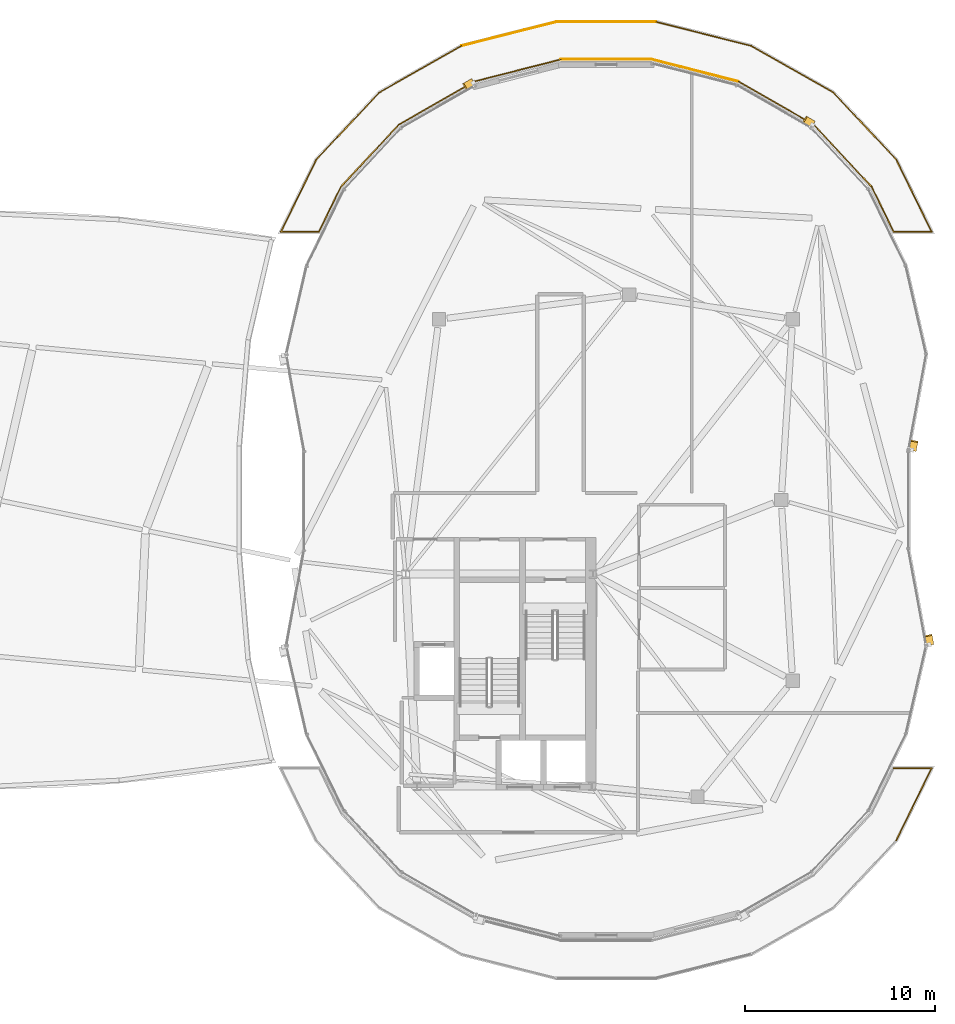
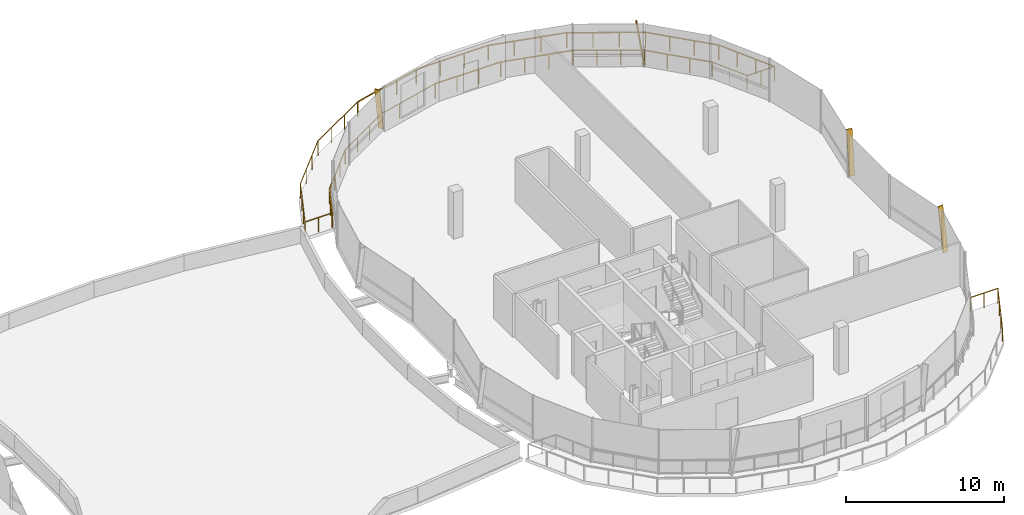
# One storey, part 31 of 31: 11 railings, 4 shading devices.
"""IFC4 building model written with IfcOpenShell, lengths in metres."""

from ifc_helpers import new_model, si_unit, direction, frame, origin, origin_2d, place, context, subcontext, project, spatial, rectangle, extrude, material, material_profile, profile_set, type_object, element, save


model = new_model("IFC4")

# Units and contexts
model_context = context("Model", 3, precision=1e-05, world=origin(), true_north=direction((0.0, 1.0)))
body_context = subcontext(model_context, "Body", "Model", "MODEL_VIEW")
ifc_project = project(units=[si_unit("LENGTHUNIT", "METRE"), si_unit("AREAUNIT", "SQUARE_METRE"), si_unit("VOLUMEUNIT", "CUBIC_METRE"), si_unit("PLANEANGLEUNIT", "RADIAN"), si_unit("MASSUNIT", "GRAM", prefix="KILO"), si_unit("THERMODYNAMICTEMPERATUREUNIT", "KELVIN"), si_unit("POWERUNIT", "WATT")], contexts=[model_context])

# Site, building, storey
site_placement = place(None, origin())
site = spatial("IfcSite", under=ifc_project, at=site_placement, CompositionType="ELEMENT")
building_placement = place(site_placement, origin())
building = spatial("IfcBuilding", under=site, at=building_placement, Name="Cundina Bronze Exchange", CompositionType="ELEMENT")
storey_placement = place(building_placement, frame((0.0, 0.0, 275.60009765625)))
storey = spatial("IfcBuildingStorey", under=building, at=storey_placement, Name="L73", CompositionType="ELEMENT", Elevation=275.60009765625)

# Railings
ifc_material = material(Name="Anodised Bronze Aluminium 6063-T6", Category="aluminium")
railing_type = type_object("IfcRailingType", Name="RLG-GRD-1150", PredefinedType="GUARDRAIL", material=ifc_material)
railing_1_placement = place(storey_placement, frame((16.756103515625, 17.903564453125, 0.0)))
element("IfcRailing", 1, at=railing_1_placement, inside=storey, type_object=railing_type, Name="L73 Perimeter Safety Guardrail 01", PredefinedType="GUARDRAIL", context=body_context, shape_type="SweptSolid", body=[
    extrude(rectangle(XDim=0.048095703125, YDim=0.048095703125, at=origin_2d()), frame((0.0, 0.0, 1.1259765625), z_axis=(0.684374532241, 0.729130646469, 0.0), x_axis=(-0.729130646469, 0.684374532241, 0.0)), (0.0, 0.0, 1.0), 4.8330078125),
    extrude(rectangle(XDim=0.048095703125, YDim=0.048095703125, at=origin_2d()), frame((3.3076171875, 3.52392578125, 1.1259765625), z_axis=(0.86955534313, 0.493835504226, 0.0), x_axis=(-0.493835504226, 0.86955534313, 0.0)), (0.0, 0.0, 1.0), 4.968994140625),
    extrude(rectangle(XDim=0.0419921875, YDim=0.0419921875, at=origin_2d()), origin(), (0.0, 0.0, 1.0), 1.101806640625),
    extrude(rectangle(XDim=0.0419921875, YDim=0.0419921875, at=origin_2d()), frame((1.1025390625, 1.174560546875, 0.0)), (0.0, 0.0, 1.0), 1.101806640625),
    extrude(rectangle(XDim=0.0419921875, YDim=0.0419921875, at=origin_2d()), frame((2.205078125, 2.349365234375, 0.0)), (0.0, 0.0, 1.0), 1.101806640625),
    extrude(rectangle(XDim=0.0419921875, YDim=0.0419921875, at=origin_2d()), frame((3.3076171875, 3.52392578125, 0.0)), (0.0, 0.0, 1.0), 1.101806640625),
    extrude(rectangle(XDim=0.0419921875, YDim=0.0419921875, at=origin_2d()), frame((4.747802734375, 4.341796875, 0.0)), (0.0, 0.0, 1.0), 1.101806640625),
    extrude(rectangle(XDim=0.0419921875, YDim=0.0419921875, at=origin_2d()), frame((6.188232421875, 5.159912109375, 0.0)), (0.0, 0.0, 1.0), 1.101806640625),
    extrude(rectangle(XDim=0.0419921875, YDim=0.0419921875, at=origin_2d()), frame((7.62841796875, 5.977783203125, 0.0)), (0.0, 0.0, 1.0), 1.101806640625),
])
railing_2_placement = place(storey_placement, frame((24.384521484375, 23.88134765625, 0.0)))
element("IfcRailing", 2, at=railing_2_placement, inside=storey, type_object=railing_type, Name="L73 Perimeter Safety Guardrail 02", PredefinedType="GUARDRAIL", context=body_context, shape_type="SweptSolid", body=[
    extrude(rectangle(XDim=0.048095703125, YDim=0.048095703125, at=origin_2d()), frame((0.0, 0.0, 1.1259765625), z_axis=(0.969737184332, 0.244151168998, 0.0), x_axis=(-0.244151168998, 0.969737184332, 0.0)), (0.0, 0.0, 1.0), 5.15478515625),
    extrude(rectangle(XDim=0.048095703125, YDim=0.048095703125, at=origin_2d()), frame((4.998779296875, 1.258544921875, 1.1259765625), z_axis=(1.0, 0.0, 0.0), x_axis=(0.0, 1.0, 0.0)), (0.0, 0.0, 1.0), 5.2333984375),
    extrude(rectangle(XDim=0.0419921875, YDim=0.0419921875, at=origin_2d()), origin(), (0.0, 0.0, 1.0), 1.101806640625),
    extrude(rectangle(XDim=0.0419921875, YDim=0.0419921875, at=origin_2d()), frame((1.666259765625, 0.41943359375, 0.0)), (0.0, 0.0, 1.0), 1.101806640625),
    extrude(rectangle(XDim=0.0419921875, YDim=0.0419921875, at=origin_2d()), frame((3.33251953125, 0.839111328125, 0.0)), (0.0, 0.0, 1.0), 1.101806640625),
    extrude(rectangle(XDim=0.0419921875, YDim=0.0419921875, at=origin_2d()), frame((4.998779296875, 1.258544921875, 0.0)), (0.0, 0.0, 1.0), 1.101806640625),
    extrude(rectangle(XDim=0.0419921875, YDim=0.0419921875, at=origin_2d()), frame((6.7431640625, 1.258544921875, 0.0)), (0.0, 0.0, 1.0), 1.101806640625),
    extrude(rectangle(XDim=0.0419921875, YDim=0.0419921875, at=origin_2d()), frame((8.48779296875, 1.258544921875, 0.0)), (0.0, 0.0, 1.0), 1.101806640625),
    extrude(rectangle(XDim=0.0419921875, YDim=0.0419921875, at=origin_2d()), frame((10.232177734375, 1.258544921875, 0.0)), (0.0, 0.0, 1.0), 1.101806640625),
])
railing_3_placement = place(storey_placement, frame((34.61669921875, 25.139892578125, 0.0)))
element("IfcRailing", 3, at=railing_3_placement, inside=storey, type_object=railing_type, Name="L73 Perimeter Safety Guardrail 03", PredefinedType="GUARDRAIL", context=body_context, shape_type="SweptSolid", body=[
    extrude(rectangle(XDim=0.048095703125, YDim=0.048095703125, at=origin_2d()), frame((0.0, 0.0, 1.1259765625), z_axis=(0.969737184332, -0.244151168998, 0.0), x_axis=(0.244151168998, 0.969737184332, 0.0)), (0.0, 0.0, 1.0), 5.15478515625),
    extrude(rectangle(XDim=0.048095703125, YDim=0.048095703125, at=origin_2d()), frame((4.998779296875, -1.258544921875, 1.1259765625), z_axis=(0.86955534313, -0.493835504226, 0.0), x_axis=(0.493835504226, 0.86955534313, 0.0)), (0.0, 0.0, 1.0), 4.968994140625),
    extrude(rectangle(XDim=0.0419921875, YDim=0.0419921875, at=origin_2d()), origin(), (0.0, 0.0, 1.0), 1.101806640625),
    extrude(rectangle(XDim=0.0419921875, YDim=0.0419921875, at=origin_2d()), frame((1.666259765625, -0.41943359375, 0.0)), (0.0, 0.0, 1.0), 1.101806640625),
    extrude(rectangle(XDim=0.0419921875, YDim=0.0419921875, at=origin_2d()), frame((3.33251953125, -0.839111328125, 0.0)), (0.0, 0.0, 1.0), 1.101806640625),
    extrude(rectangle(XDim=0.0419921875, YDim=0.0419921875, at=origin_2d()), frame((4.998779296875, -1.258544921875, 0.0)), (0.0, 0.0, 1.0), 1.101806640625),
    extrude(rectangle(XDim=0.0419921875, YDim=0.0419921875, at=origin_2d()), frame((6.43896484375, -2.076416015625, 0.0)), (0.0, 0.0, 1.0), 1.101806640625),
    extrude(rectangle(XDim=0.0419921875, YDim=0.0419921875, at=origin_2d()), frame((7.87939453125, -2.89453125, 0.0)), (0.0, 0.0, 1.0), 1.101806640625),
    extrude(rectangle(XDim=0.0419921875, YDim=0.0419921875, at=origin_2d()), frame((9.319580078125, -3.71240234375, 0.0)), (0.0, 0.0, 1.0), 1.101806640625),
])
railing_4_placement = place(storey_placement, frame((43.936279296875, 21.427490234375, 0.0)))
element("IfcRailing", 4, at=railing_4_placement, inside=storey, type_object=railing_type, Name="L73 Perimeter Safety Guardrail 04", PredefinedType="GUARDRAIL", context=body_context, shape_type="SweptSolid", body=[
    extrude(rectangle(XDim=0.048095703125, YDim=0.048095703125, at=origin_2d()), frame((0.0, 0.0, 1.1259765625), z_axis=(0.684374532241, -0.729130646469, 0.0), x_axis=(0.729130646469, 0.684374532241, 0.0)), (0.0, 0.0, 1.0), 4.8330078125),
    extrude(rectangle(XDim=0.048095703125, YDim=0.048095703125, at=origin_2d()), frame((3.3076171875, -3.52392578125, 1.1259765625), z_axis=(0.440493349909, -0.897755873657, 0.0), x_axis=(0.897755873657, 0.440493349909, 0.0)), (0.0, 0.0, 1.0), 4.236572265625),
    extrude(rectangle(XDim=0.0419921875, YDim=0.0419921875, at=origin_2d()), origin(), (0.0, 0.0, 1.0), 1.101806640625),
    extrude(rectangle(XDim=0.0419921875, YDim=0.0419921875, at=origin_2d()), frame((1.1025390625, -1.174560546875, 0.0)), (0.0, 0.0, 1.0), 1.101806640625),
    extrude(rectangle(XDim=0.0419921875, YDim=0.0419921875, at=origin_2d()), frame((2.205078125, -2.349365234375, 0.0)), (0.0, 0.0, 1.0), 1.101806640625),
    extrude(rectangle(XDim=0.0419921875, YDim=0.0419921875, at=origin_2d()), frame((3.3076171875, -3.52392578125, 0.0)), (0.0, 0.0, 1.0), 1.101806640625),
    extrude(rectangle(XDim=0.0419921875, YDim=0.0419921875, at=origin_2d()), frame((3.9296875, -4.791748046875, 0.0)), (0.0, 0.0, 1.0), 1.101806640625),
    extrude(rectangle(XDim=0.0419921875, YDim=0.0419921875, at=origin_2d()), frame((4.5517578125, -6.0595703125, 0.0)), (0.0, 0.0, 1.0), 1.101806640625),
    extrude(rectangle(XDim=0.0419921875, YDim=0.0419921875, at=origin_2d()), frame((5.173828125, -7.327392578125, 0.0)), (0.0, 0.0, 1.0), 1.101806640625),
])
railing_5_placement = place(storey_placement, frame((49.110107421875, 14.10009765625, 0.0)))
element("IfcRailing", 5, at=railing_5_placement, inside=storey, type_object=railing_type, Name="L73 Perimeter Safety Guardrail 05", PredefinedType="GUARDRAIL", context=body_context, shape_type="SweptSolid", body=[
    extrude(rectangle(XDim=0.048095703125, YDim=0.048095703125, at=origin_2d()), frame((0.0, 0.0, 1.1259765625), z_axis=(-1.0, 0.0, 0.0), x_axis=(0.0, -1.0, 0.0)), (0.0, 0.0, 1.0), 1.99560546875),
    extrude(rectangle(XDim=0.048095703125, YDim=0.048095703125, at=origin_2d()), frame((-1.99560546875, 0.0, 1.1259765625), z_axis=(-0.439873538042, 0.898059725481, 0.0), x_axis=(-0.898059725481, -0.439873538042, 0.0)), (0.0, 0.0, 1.0), 2.6396484375),
    extrude(rectangle(XDim=0.0419921875, YDim=0.0419921875, at=origin_2d()), origin(), (0.0, 0.0, 1.0), 1.101806640625),
    extrude(rectangle(XDim=0.0419921875, YDim=0.0419921875, at=origin_2d()), frame((-0.997802734375, 0.0, 0.0)), (0.0, 0.0, 1.0), 1.101806640625),
    extrude(rectangle(XDim=0.0419921875, YDim=0.0419921875, at=origin_2d()), frame((-1.99560546875, 0.0, 0.0)), (0.0, 0.0, 1.0), 1.101806640625),
    extrude(rectangle(XDim=0.0419921875, YDim=0.0419921875, at=origin_2d()), frame((-2.576171875, 1.185302734375, 0.0)), (0.0, 0.0, 1.0), 1.101806640625),
    extrude(rectangle(XDim=0.0419921875, YDim=0.0419921875, at=origin_2d()), frame((-3.15673828125, 2.37060546875, 0.0)), (0.0, 0.0, 1.0), 1.101806640625),
])
railing_6_placement = place(storey_placement, frame((45.953369140625, 16.470703125, 0.0)))
element("IfcRailing", 6, at=railing_6_placement, inside=storey, type_object=railing_type, Name="L73 Perimeter Safety Guardrail 06", PredefinedType="GUARDRAIL", context=body_context, shape_type="SweptSolid", body=[
    extrude(rectangle(XDim=0.048095703125, YDim=0.048095703125, at=origin_2d()), frame((0.0, 0.0, 1.1259765625), z_axis=(-0.681882342668, 0.731461872388, 0.0), x_axis=(-0.731461872388, -0.681882342668, 0.0)), (0.0, 0.0, 1.0), 4.47119140625),
    extrude(rectangle(XDim=0.048095703125, YDim=0.048095703125, at=origin_2d()), frame((-3.048828125, 3.2705078125, 1.1259765625), z_axis=(-0.867568999223, 0.497316832198, 0.0), x_axis=(-0.497316832198, -0.867568999223, 0.0)), (0.0, 0.0, 1.0), 4.5517578125),
    extrude(rectangle(XDim=0.0419921875, YDim=0.0419921875, at=origin_2d()), origin(), (0.0, 0.0, 1.0), 1.101806640625),
    extrude(rectangle(XDim=0.0419921875, YDim=0.0419921875, at=origin_2d()), frame((-1.016357421875, 1.090087890625, 0.0)), (0.0, 0.0, 1.0), 1.101806640625),
    extrude(rectangle(XDim=0.0419921875, YDim=0.0419921875, at=origin_2d()), frame((-2.032470703125, 2.180419921875, 0.0)), (0.0, 0.0, 1.0), 1.101806640625),
    extrude(rectangle(XDim=0.0419921875, YDim=0.0419921875, at=origin_2d()), frame((-3.048828125, 3.2705078125, 0.0)), (0.0, 0.0, 1.0), 1.101806640625),
    extrude(rectangle(XDim=0.0419921875, YDim=0.0419921875, at=origin_2d()), frame((-4.365234375, 4.025146484375, 0.0)), (0.0, 0.0, 1.0), 1.101806640625),
    extrude(rectangle(XDim=0.0419921875, YDim=0.0419921875, at=origin_2d()), frame((-5.681396484375, 4.779541015625, 0.0)), (0.0, 0.0, 1.0), 1.101806640625),
    extrude(rectangle(XDim=0.0419921875, YDim=0.0419921875, at=origin_2d()), frame((-6.997802734375, 5.5341796875, 0.0)), (0.0, 0.0, 1.0), 1.101806640625),
])
railing_7_placement = place(storey_placement, frame((38.95556640625, 22.0048828125, 0.0)))
element("IfcRailing", 7, at=railing_7_placement, inside=storey, type_object=railing_type, Name="L73 Perimeter Safety Guardrail 07", PredefinedType="GUARDRAIL", context=body_context, shape_type="SweptSolid", body=[
    extrude(rectangle(XDim=0.048095703125, YDim=0.048095703125, at=origin_2d()), frame((0.0, 0.0, 1.1259765625), z_axis=(-0.969066775148, 0.246798673628, 0.0), x_axis=(-0.246798673628, -0.969066775148, 0.0)), (0.0, 0.0, 1.0), 4.713623046875),
    extrude(rectangle(XDim=0.048095703125, YDim=0.048095703125, at=origin_2d()), frame((-4.56787109375, 1.163330078125, 1.1259765625), z_axis=(-1.0, 0.0, 0.0), x_axis=(0.0, -1.0, 0.0)), (0.0, 0.0, 1.0), 4.775390625),
    extrude(rectangle(XDim=0.0419921875, YDim=0.0419921875, at=origin_2d()), origin(), (0.0, 0.0, 1.0), 1.101806640625),
    extrude(rectangle(XDim=0.0419921875, YDim=0.0419921875, at=origin_2d()), frame((-1.522705078125, 0.3876953125, 0.0)), (0.0, 0.0, 1.0), 1.101806640625),
    extrude(rectangle(XDim=0.0419921875, YDim=0.0419921875, at=origin_2d()), frame((-3.045166015625, 0.775634765625, 0.0)), (0.0, 0.0, 1.0), 1.101806640625),
    extrude(rectangle(XDim=0.0419921875, YDim=0.0419921875, at=origin_2d()), frame((-4.56787109375, 1.163330078125, 0.0)), (0.0, 0.0, 1.0), 1.101806640625),
    extrude(rectangle(XDim=0.0419921875, YDim=0.0419921875, at=origin_2d()), frame((-6.15966796875, 1.163330078125, 0.0)), (0.0, 0.0, 1.0), 1.101806640625),
    extrude(rectangle(XDim=0.0419921875, YDim=0.0419921875, at=origin_2d()), frame((-7.75146484375, 1.163330078125, 0.0)), (0.0, 0.0, 1.0), 1.101806640625),
    extrude(rectangle(XDim=0.0419921875, YDim=0.0419921875, at=origin_2d()), frame((-9.34326171875, 1.163330078125, 0.0)), (0.0, 0.0, 1.0), 1.101806640625),
])
railing_8_placement = place(storey_placement, frame((29.6123046875, 23.168212890625, 0.0)))
element("IfcRailing", 8, at=railing_8_placement, inside=storey, type_object=railing_type, Name="L73 Perimeter Safety Guardrail 08", PredefinedType="GUARDRAIL", context=body_context, shape_type="SweptSolid", body=[
    extrude(rectangle(XDim=0.048095703125, YDim=0.048095703125, at=origin_2d()), frame((0.0, 0.0, 1.1259765625), z_axis=(-0.968966978327, -0.247190199869, 0.0), x_axis=(0.247190199869, -0.968966978327, 0.0)), (0.0, 0.0, 1.0), 4.723876953125),
    extrude(rectangle(XDim=0.048095703125, YDim=0.048095703125, at=origin_2d()), frame((-4.577392578125, -1.167724609375, 1.1259765625), z_axis=(-0.867108491991, -0.498119326183, 0.0), x_axis=(0.498119326183, -0.867108491991, 0.0)), (0.0, 0.0, 1.0), 4.56396484375),
    extrude(rectangle(XDim=0.0419921875, YDim=0.0419921875, at=origin_2d()), origin(), (0.0, 0.0, 1.0), 1.101806640625),
    extrude(rectangle(XDim=0.0419921875, YDim=0.0419921875, at=origin_2d()), frame((-1.52587890625, -0.38916015625, 0.0)), (0.0, 0.0, 1.0), 1.101806640625),
    extrude(rectangle(XDim=0.0419921875, YDim=0.0419921875, at=origin_2d()), frame((-3.051513671875, -0.778564453125, 0.0)), (0.0, 0.0, 1.0), 1.101806640625),
    extrude(rectangle(XDim=0.0419921875, YDim=0.0419921875, at=origin_2d()), frame((-4.577392578125, -1.167724609375, 0.0)), (0.0, 0.0, 1.0), 1.101806640625),
    extrude(rectangle(XDim=0.0419921875, YDim=0.0419921875, at=origin_2d()), frame((-5.896484375, -1.925537109375, 0.0)), (0.0, 0.0, 1.0), 1.101806640625),
    extrude(rectangle(XDim=0.0419921875, YDim=0.0419921875, at=origin_2d()), frame((-7.2158203125, -2.683349609375, 0.0)), (0.0, 0.0, 1.0), 1.101806640625),
    extrude(rectangle(XDim=0.0419921875, YDim=0.0419921875, at=origin_2d()), frame((-8.534912109375, -3.441162109375, 0.0)), (0.0, 0.0, 1.0), 1.101806640625),
])
railing_9_placement = place(storey_placement, frame((21.077392578125, 19.72705078125, 0.0)))
element("IfcRailing", 9, at=railing_9_placement, inside=storey, type_object=railing_type, Name="L73 Perimeter Safety Guardrail 09", PredefinedType="GUARDRAIL", context=body_context, shape_type="SweptSolid", body=[
    extrude(rectangle(XDim=0.048095703125, YDim=0.048095703125, at=origin_2d()), frame((0.0, 0.0, 1.1259765625), z_axis=(-0.681296870711, -0.732007222615, 0.0), x_axis=(0.732007222615, -0.681296870711, 0.0)), (0.0, 0.0, 1.0), 4.448486328125),
    extrude(rectangle(XDim=0.048095703125, YDim=0.048095703125, at=origin_2d()), frame((-3.03076171875, -3.25634765625, 1.1259765625), z_axis=(-0.439873538042, -0.898059725481, 0.0), x_axis=(0.898059725481, -0.439873538042, 0.0)), (0.0, 0.0, 1.0), 2.6396484375),
    extrude(rectangle(XDim=0.0419921875, YDim=0.0419921875, at=origin_2d()), origin(), (0.0, 0.0, 1.0), 1.101806640625),
    extrude(rectangle(XDim=0.0419921875, YDim=0.0419921875, at=origin_2d()), frame((-1.01025390625, -1.08544921875, 0.0)), (0.0, 0.0, 1.0), 1.101806640625),
    extrude(rectangle(XDim=0.0419921875, YDim=0.0419921875, at=origin_2d()), frame((-2.0205078125, -2.1708984375, 0.0)), (0.0, 0.0, 1.0), 1.101806640625),
    extrude(rectangle(XDim=0.0419921875, YDim=0.0419921875, at=origin_2d()), frame((-3.03076171875, -3.25634765625, 0.0)), (0.0, 0.0, 1.0), 1.101806640625),
    extrude(rectangle(XDim=0.0419921875, YDim=0.0419921875, at=origin_2d()), frame((-3.611328125, -4.441650390625, 0.0)), (0.0, 0.0, 1.0), 1.101806640625),
    extrude(rectangle(XDim=0.0419921875, YDim=0.0419921875, at=origin_2d()), frame((-4.19189453125, -5.626953125, 0.0)), (0.0, 0.0, 1.0), 1.101806640625),
])
railing_10_placement = place(storey_placement, frame((16.885498046875, 14.10009765625, 0.0)))
element("IfcRailing", 10, at=railing_10_placement, inside=storey, type_object=railing_type, Name="L73 Perimeter Safety Guardrail 10", PredefinedType="GUARDRAIL", context=body_context, shape_type="SweptSolid", body=[
    extrude(rectangle(XDim=0.048095703125, YDim=0.048095703125, at=origin_2d()), frame((0.0, 0.0, 1.1259765625), z_axis=(-1.0, 0.0, 0.0), x_axis=(0.0, -1.0, 0.0)), (0.0, 0.0, 1.0), 1.99560546875),
    extrude(rectangle(XDim=0.048095703125, YDim=0.048095703125, at=origin_2d()), frame((-1.99560546875, 0.0, 1.1259765625), z_axis=(0.440493349909, 0.897755873657, 0.0), x_axis=(-0.897755873657, 0.440493349909, 0.0)), (0.0, 0.0, 1.0), 4.236572265625),
    extrude(rectangle(XDim=0.0419921875, YDim=0.0419921875, at=origin_2d()), origin(), (0.0, 0.0, 1.0), 1.101806640625),
    extrude(rectangle(XDim=0.0419921875, YDim=0.0419921875, at=origin_2d()), frame((-0.997802734375, 0.0, 0.0)), (0.0, 0.0, 1.0), 1.101806640625),
    extrude(rectangle(XDim=0.0419921875, YDim=0.0419921875, at=origin_2d()), frame((-1.99560546875, 0.0, 0.0)), (0.0, 0.0, 1.0), 1.101806640625),
    extrude(rectangle(XDim=0.0419921875, YDim=0.0419921875, at=origin_2d()), frame((-1.37353515625, 1.267822265625, 0.0)), (0.0, 0.0, 1.0), 1.101806640625),
    extrude(rectangle(XDim=0.0419921875, YDim=0.0419921875, at=origin_2d()), frame((-0.75146484375, 2.53564453125, 0.0)), (0.0, 0.0, 1.0), 1.101806640625),
    extrude(rectangle(XDim=0.0419921875, YDim=0.0419921875, at=origin_2d()), frame((-0.12939453125, 3.803466796875, 0.0)), (0.0, 0.0, 1.0), 1.101806640625),
])
railing_11_placement = place(storey_placement, frame((47.114501953125, -14.10009765625, 0.0)))
element("IfcRailing", 11, at=railing_11_placement, inside=storey, type_object=railing_type, Name="L73 Perimeter Safety Guardrail 10", PredefinedType="GUARDRAIL", context=body_context, shape_type="SweptSolid", body=[
    extrude(rectangle(XDim=0.048095703125, YDim=0.048095703125, at=origin_2d()), frame((0.0, 0.0, 1.1259765625), z_axis=(1.0, 0.0, 0.0), x_axis=(0.0, 1.0, 0.0)), (0.0, 0.0, 1.0), 1.99560546875),
    extrude(rectangle(XDim=0.048095703125, YDim=0.048095703125, at=origin_2d()), frame((1.99560546875, 0.0, 1.1259765625), z_axis=(-0.440493349909, -0.897755873657, 0.0), x_axis=(0.897755873657, -0.440493349909, 0.0)), (0.0, 0.0, 1.0), 4.236572265625),
    extrude(rectangle(XDim=0.0419921875, YDim=0.0419921875, at=origin_2d()), origin(), (0.0, 0.0, 1.0), 1.101806640625),
    extrude(rectangle(XDim=0.0419921875, YDim=0.0419921875, at=origin_2d()), frame((0.997802734375, 0.0, 0.0)), (0.0, 0.0, 1.0), 1.101806640625),
    extrude(rectangle(XDim=0.0419921875, YDim=0.0419921875, at=origin_2d()), frame((1.99560546875, 0.0, 0.0)), (0.0, 0.0, 1.0), 1.101806640625),
    extrude(rectangle(XDim=0.0419921875, YDim=0.0419921875, at=origin_2d()), frame((1.37353515625, -1.267822265625, 0.0)), (0.0, 0.0, 1.0), 1.101806640625),
    extrude(rectangle(XDim=0.0419921875, YDim=0.0419921875, at=origin_2d()), frame((0.75146484375, -2.53564453125, 0.0)), (0.0, 0.0, 1.0), 1.101806640625),
    extrude(rectangle(XDim=0.0419921875, YDim=0.0419921875, at=origin_2d()), frame((0.12939453125, -3.803466796875, 0.0)), (0.0, 0.0, 1.0), 1.101806640625),
])

# Shading devices
ifc_material_profile = material_profile(ifc_material, rectangle(XDim=0.070068359375, YDim=0.3798828125, at=origin_2d()), Name="FIN70X380", Category="aluminium")
ifc_profile_set = profile_set([ifc_material_profile], Name="Anodised Bronze Aluminium 6063-T6")
shading_device_type = type_object("IfcShadingDeviceType", Name="SHD-FIN-BRZ380", PredefinedType="USERDEFINED", material=ifc_profile_set)
for number, where, z_axis, x_axis, name in (
    (12, (48.11328125, 2.62109375, 0.02001953125), (0.026138160459, 0.141526790384, 0.989589290651), (-0.179724849339, -0.973132027374, 0.143920241205), "L73 Diagonal Bronze Solar Fin 1"),
    (13, (42.86328125, 19.770751953125, 0.02001953125), (-0.124833654975, 0.071605463088, 0.989590428532), (0.85839841149, -0.492383370345, 0.143912416972), "L73 Diagonal Bronze Solar Fin 5"),
    (14, (24.98779296875, 21.9794921875, 0.02001953125), (-0.124905074088, -0.071677648026, 0.98957619072), (0.858293459444, 0.492537688626, 0.144010286991), "L73 Diagonal Bronze Solar Fin 1"),
    (15, (49.03173828125, -7.595458984375, 0.02001953125), (-0.026138160459, 0.141526790384, 0.989589290651), (0.179724849339, -0.973132027374, 0.143920241205), "L73 Diagonal Bronze Solar Fin 5"),
):
    element("IfcShadingDevice", number, at=place(storey_placement, frame(where, z_axis=z_axis, x_axis=x_axis)), inside=storey, type_object=shading_device_type, Name=name, ObjectType="FIN", PredefinedType="USERDEFINED", context=body_context, shape_type="SweptSolid", body=[
        extrude(rectangle(XDim=0.070068359375, YDim=0.3798828125, at=origin_2d()), origin(), (0.0, 0.0, 1.0), 3.33447265625),
    ])

save(model, "model.ifc")
